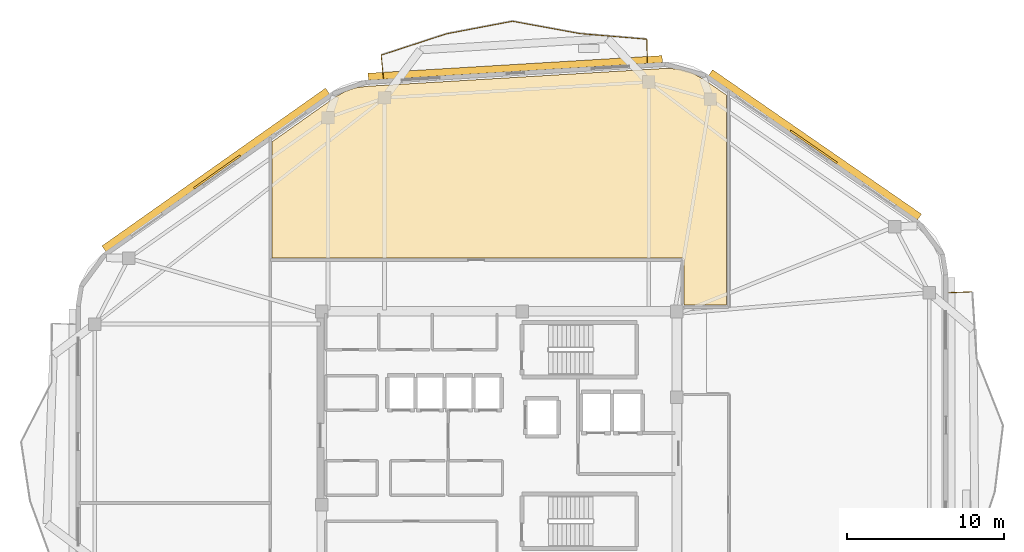
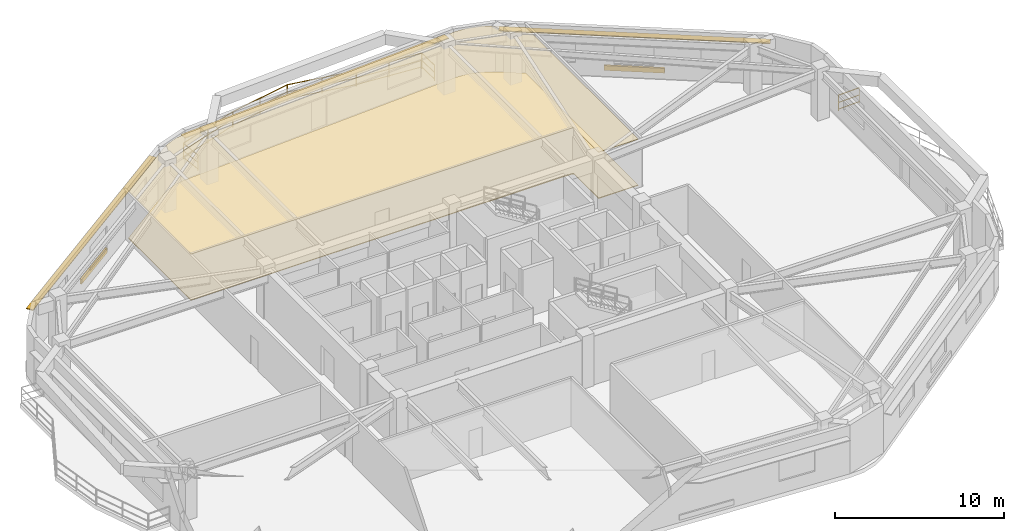
# One storey, part 9 of 9: 7 railings, 5 shading devices, 2 coverings.
"""IFC4 building model written with IfcOpenShell, lengths in metres."""

from ifc_helpers import new_model, si_unit, direction, frame, origin, origin_2d, place, context, subcontext, project, spatial, polyline, rectangle, outline, extrude, material, layer, layer_set, type_object, element, save


model = new_model("IFC4")

# Units and contexts
model_context = context("Model", 3, precision=1e-05, world=origin(), true_north=direction((0.0, 1.0)))
body_context = subcontext(model_context, "Body", "Model", "MODEL_VIEW")
ifc_project = project(units=[si_unit("LENGTHUNIT", "METRE"), si_unit("AREAUNIT", "SQUARE_METRE"), si_unit("VOLUMEUNIT", "CUBIC_METRE"), si_unit("PLANEANGLEUNIT", "RADIAN"), si_unit("MASSUNIT", "GRAM", prefix="KILO")], contexts=[model_context])

# Site, building, storey
site_placement = place(None, origin())
site = spatial("IfcSite", under=ifc_project, at=site_placement, CompositionType="ELEMENT")
building_placement = place(site_placement, origin())
building = spatial("IfcBuilding", under=site, at=building_placement, Name="Zulverin Broadcast Headquarters", CompositionType="ELEMENT")
storey_placement = place(building_placement, frame((0.0, 0.0, 247.800048828125)))
storey = spatial("IfcBuildingStorey", under=building, at=storey_placement, Name="L63", CompositionType="ELEMENT", Elevation=247.800048828125)

# Coverings
ifc_material_1 = material(Name="Perforated pale-metal acoustic baffle ceiling", Category="aluminium")
ifc_layer_1 = layer(ifc_material_1, 0.0400390625, Name="Perforated pale-metal acoustic baffle ceiling", Category="aluminium")
ifc_layer_set_1 = layer_set([ifc_layer_1], Name="Perforated pale-metal acoustic baffle ceiling")
covering_type_1 = type_object("IfcCoveringType", Name="COV-CEIL-ACOU", PredefinedType="CEILING", material=ifc_layer_set_1)
covering_1_placement = place(storey_placement, frame((0.0, 0.0, 3.329833984375)))
element("IfcCovering", 1, at=covering_1_placement, inside=storey, type_object=covering_type_1, Name="L63 Acoustic Baffle Ceiling 01", PredefinedType="CEILING", context=body_context, shape_type="SweptSolid", body=[
    extrude(outline(polyline([(48.39599609375, 48.471923828125), (47.56005859375, 48.51611328125), (28.52392578125, 47.3720703125), (27.827880859375, 47.26806640625), (27.18798828125, 47.0400390625), (26.575927734375, 46.69189453125), (22.572021484375, 43.860107421875), (22.572021484375, 36.471923828125), (48.60009765625, 36.471923828125), (48.612060546875, 36.471923828125), (48.6240234375, 36.468017578125), (48.635986328125, 36.468017578125), (48.64404296875, 36.464111328125), (48.656005859375, 36.4560546875), (48.66796875, 36.451904296875), (48.676025390625, 36.444091796875), (48.68408203125, 36.43603515625), (48.69189453125, 36.427978515625), (48.699951171875, 36.419921875), (48.7041015625, 36.407958984375), (48.7119140625, 36.39599609375), (48.716064453125, 36.387939453125), (48.716064453125, 36.3759765625), (48.719970703125, 36.364013671875), (48.719970703125, 36.35205078125), (48.719970703125, 33.5), (51.431884765625, 33.5), (51.431884765625, 46.81201171875), (49.924072265625, 47.85205078125), (49.18798828125, 48.251953125), (48.39599609375, 48.471923828125)])), origin(), (0.0, 0.0, 1.0), 0.0400390625),
])
ifc_material_2 = material(Name="Anti-static broadcast raised access flooring", Category="stone")
ifc_layer_2 = layer(ifc_material_2, 0.050048828125, Name="Anti-static broadcast raised access flooring", Category="stone")
ifc_layer_set_2 = layer_set([ifc_layer_2], Name="Anti-static broadcast raised access flooring")
covering_type_2 = type_object("IfcCoveringType", Name="COV-FLR-RAISED", PredefinedType="FLOORING", material=ifc_layer_set_2)
covering_2_placement = place(storey_placement, origin())
element("IfcCovering", 2, at=covering_2_placement, inside=storey, type_object=covering_type_2, Name="L63 Broadcast Raised Access Flooring 01", PredefinedType="FLOORING", context=body_context, shape_type="SweptSolid", body=[
    extrude(outline(polyline([(48.39599609375, 48.471923828125), (47.56005859375, 48.51611328125), (28.52392578125, 47.3720703125), (27.827880859375, 47.26806640625), (27.18798828125, 47.0400390625), (26.575927734375, 46.69189453125), (22.572021484375, 43.860107421875), (22.572021484375, 36.471923828125), (48.60009765625, 36.471923828125), (48.612060546875, 36.471923828125), (48.6240234375, 36.468017578125), (48.635986328125, 36.468017578125), (48.64404296875, 36.464111328125), (48.656005859375, 36.4560546875), (48.66796875, 36.451904296875), (48.676025390625, 36.444091796875), (48.68408203125, 36.43603515625), (48.69189453125, 36.427978515625), (48.699951171875, 36.419921875), (48.7041015625, 36.407958984375), (48.7119140625, 36.39599609375), (48.716064453125, 36.387939453125), (48.716064453125, 36.3759765625), (48.719970703125, 36.364013671875), (48.719970703125, 36.35205078125), (48.719970703125, 33.5), (51.431884765625, 33.5), (51.431884765625, 46.81201171875), (49.924072265625, 47.85205078125), (49.18798828125, 48.251953125), (48.39599609375, 48.471923828125)])), origin(), (0.0, 0.0, 1.0), 0.050048828125),
])

# Railings
ifc_material_3 = material(Name="Brushed stainless steel & laminated glass balustrade", Category="steel")
railing_type = type_object("IfcRailingType", Name="RL-GUARD-1150", PredefinedType="GUARDRAIL", material=ifc_material_3)
railing_1_placement = place(storey_placement, frame((67.0048828125, 34.3251953125, 0.0)))
element("IfcRailing", 3, at=railing_1_placement, inside=storey, type_object=railing_type, Name="L63 Vertical-Forest Balcony Guardrail BAL_E Segment 06", PredefinedType="GUARDRAIL", context=body_context, shape_type="SweptSolid", body=[
    extrude(rectangle(XDim=0.048095703125, YDim=0.048095703125, at=origin_2d()), frame((0.0, 0.0, 1.1259765625), z_axis=(-0.999174135318, -0.040633081503, 0.0), x_axis=(0.040633081503, -0.999174135318, 0.0)), (0.0, 0.0, 1.0), 1.466064453125),
    extrude(rectangle(XDim=0.0419921875, YDim=0.0419921875, at=origin_2d()), frame((0.0, 0.0, 0.597900390625), z_axis=(-0.999174135318, -0.040633081503, 0.0), x_axis=(0.040633081503, -0.999174135318, 0.0)), (0.0, 0.0, 1.0), 1.466064453125),
    extrude(rectangle(XDim=0.0419921875, YDim=0.0419921875, at=origin_2d()), frame((0.0, 0.0, 0.1201171875), z_axis=(-0.999174135318, -0.040633081503, 0.0), x_axis=(0.040633081503, -0.999174135318, 0.0)), (0.0, 0.0, 1.0), 1.466064453125),
    extrude(rectangle(XDim=0.0419921875, YDim=0.0419921875, at=origin_2d()), origin(), (0.0, 0.0, 1.0), 1.101806640625),
    extrude(rectangle(XDim=0.0419921875, YDim=0.0419921875, at=origin_2d()), frame((-1.46484375, -0.0595703125, 0.0)), (0.0, 0.0, 1.0), 1.101806640625),
])
railing_2_placement = place(storey_placement, frame((46.397216796875, 48.885498046875, 0.0)))
element("IfcRailing", 4, at=railing_2_placement, inside=storey, type_object=railing_type, Name="L63 Vertical-Forest Balcony Guardrail BAL_N Segment 01", PredefinedType="GUARDRAIL", context=body_context, shape_type="SweptSolid", body=[
    extrude(rectangle(XDim=0.048095703125, YDim=0.048095703125, at=origin_2d()), frame((0.0, 0.0, 1.1259765625), z_axis=(-0.019480066399, 0.999810245503, 0.0), x_axis=(-0.999810245503, -0.019480066399, 0.0)), (0.0, 0.0, 1.0), 1.46630859375),
    extrude(rectangle(XDim=0.0419921875, YDim=0.0419921875, at=origin_2d()), frame((0.0, 0.0, 0.597900390625), z_axis=(-0.019480066399, 0.999810245503, 0.0), x_axis=(-0.999810245503, -0.019480066399, 0.0)), (0.0, 0.0, 1.0), 1.46630859375),
    extrude(rectangle(XDim=0.0419921875, YDim=0.0419921875, at=origin_2d()), frame((0.0, 0.0, 0.1201171875), z_axis=(-0.019480066399, 0.999810245503, 0.0), x_axis=(-0.999810245503, -0.019480066399, 0.0)), (0.0, 0.0, 1.0), 1.46630859375),
    extrude(rectangle(XDim=0.0419921875, YDim=0.0419921875, at=origin_2d()), origin(), (0.0, 0.0, 1.0), 1.101806640625),
    extrude(rectangle(XDim=0.0419921875, YDim=0.0419921875, at=origin_2d()), frame((-0.028564453125, 1.466064453125, 0.0)), (0.0, 0.0, 1.0), 1.101806640625),
])
railing_3_placement = place(storey_placement, frame((46.353515625, 50.367919921875, 0.0)))
element("IfcRailing", 5, at=railing_3_placement, inside=storey, type_object=railing_type, Name="L63 Vertical-Forest Balcony Guardrail BAL_N Segment 02", PredefinedType="GUARDRAIL", context=body_context, shape_type="SweptSolid", body=[
    extrude(rectangle(XDim=0.048095703125, YDim=0.048095703125, at=origin_2d()), frame((0.0, 0.0, 1.1259765625), z_axis=(-0.996482760527, 0.083798018905, 0.0), x_axis=(-0.083798018905, -0.996482760527, 0.0)), (0.0, 0.0, 1.0), 4.241943359375),
    extrude(rectangle(XDim=0.0419921875, YDim=0.0419921875, at=origin_2d()), frame((0.0, 0.0, 0.597900390625), z_axis=(-0.996482760527, 0.083798018905, 0.0), x_axis=(-0.083798018905, -0.996482760527, 0.0)), (0.0, 0.0, 1.0), 4.241943359375),
    extrude(rectangle(XDim=0.0419921875, YDim=0.0419921875, at=origin_2d()), frame((0.0, 0.0, 0.1201171875), z_axis=(-0.996482760527, 0.083798018905, 0.0), x_axis=(-0.083798018905, -0.996482760527, 0.0)), (0.0, 0.0, 1.0), 4.241943359375),
    extrude(rectangle(XDim=0.0419921875, YDim=0.0419921875, at=origin_2d()), origin(), (0.0, 0.0, 1.0), 1.101806640625),
    extrude(rectangle(XDim=0.0419921875, YDim=0.0419921875, at=origin_2d()), frame((-2.113525390625, 0.177734375, 0.0)), (0.0, 0.0, 1.0), 1.101806640625),
    extrude(rectangle(XDim=0.0419921875, YDim=0.0419921875, at=origin_2d()), frame((-4.22705078125, 0.35546875, 0.0)), (0.0, 0.0, 1.0), 1.101806640625),
])
railing_4_placement = place(storey_placement, frame((42.0966796875, 50.727294921875, 0.0)))
element("IfcRailing", 6, at=railing_4_placement, inside=storey, type_object=railing_type, Name="L63 Vertical-Forest Balcony Guardrail BAL_N Segment 03", PredefinedType="GUARDRAIL", context=body_context, shape_type="SweptSolid", body=[
    extrude(rectangle(XDim=0.048095703125, YDim=0.048095703125, at=origin_2d()), frame((0.0, 0.0, 1.1259765625), z_axis=(-0.983691422251, 0.179864353859, 0.0), x_axis=(-0.179864353859, -0.983691422251, 0.0)), (0.0, 0.0, 1.0), 4.3232421875),
    extrude(rectangle(XDim=0.0419921875, YDim=0.0419921875, at=origin_2d()), frame((0.0, 0.0, 0.597900390625), z_axis=(-0.983691422251, 0.179864353859, 0.0), x_axis=(-0.179864353859, -0.983691422251, 0.0)), (0.0, 0.0, 1.0), 4.3232421875),
    extrude(rectangle(XDim=0.0419921875, YDim=0.0419921875, at=origin_2d()), frame((0.0, 0.0, 0.1201171875), z_axis=(-0.983691422251, 0.179864353859, 0.0), x_axis=(-0.179864353859, -0.983691422251, 0.0)), (0.0, 0.0, 1.0), 4.3232421875),
    extrude(rectangle(XDim=0.0419921875, YDim=0.0419921875, at=origin_2d()), origin(), (0.0, 0.0, 1.0), 1.101806640625),
    extrude(rectangle(XDim=0.0419921875, YDim=0.0419921875, at=origin_2d()), frame((-2.12646484375, 0.388671875, 0.0)), (0.0, 0.0, 1.0), 1.101806640625),
    extrude(rectangle(XDim=0.0419921875, YDim=0.0419921875, at=origin_2d()), frame((-4.252685546875, 0.777587890625, 0.0)), (0.0, 0.0, 1.0), 1.101806640625),
])
railing_5_placement = place(storey_placement, frame((37.814453125, 51.504638671875, 0.0)))
element("IfcRailing", 7, at=railing_5_placement, inside=storey, type_object=railing_type, Name="L63 Vertical-Forest Balcony Guardrail BAL_N Segment 04", PredefinedType="GUARDRAIL", context=body_context, shape_type="SweptSolid", body=[
    extrude(rectangle(XDim=0.048095703125, YDim=0.048095703125, at=origin_2d()), frame((0.0, 0.0, 1.1259765625), z_axis=(-0.982338566422, -0.18711210789, 0.0), x_axis=(0.18711210789, -0.982338566422, 0.0)), (0.0, 0.0, 1.0), 4.232666015625),
    extrude(rectangle(XDim=0.0419921875, YDim=0.0419921875, at=origin_2d()), frame((0.0, 0.0, 0.597900390625), z_axis=(-0.982338566422, -0.18711210789, 0.0), x_axis=(0.18711210789, -0.982338566422, 0.0)), (0.0, 0.0, 1.0), 4.232666015625),
    extrude(rectangle(XDim=0.0419921875, YDim=0.0419921875, at=origin_2d()), frame((0.0, 0.0, 0.1201171875), z_axis=(-0.982338566422, -0.18711210789, 0.0), x_axis=(0.18711210789, -0.982338566422, 0.0)), (0.0, 0.0, 1.0), 4.232666015625),
    extrude(rectangle(XDim=0.0419921875, YDim=0.0419921875, at=origin_2d()), origin(), (0.0, 0.0, 1.0), 1.101806640625),
    extrude(rectangle(XDim=0.0419921875, YDim=0.0419921875, at=origin_2d()), frame((-2.0791015625, -0.39599609375, 0.0)), (0.0, 0.0, 1.0), 1.101806640625),
    extrude(rectangle(XDim=0.0419921875, YDim=0.0419921875, at=origin_2d()), frame((-4.157958984375, -0.7919921875, 0.0)), (0.0, 0.0, 1.0), 1.101806640625),
])
railing_6_placement = place(storey_placement, frame((33.62744140625, 50.705078125, 0.0)))
element("IfcRailing", 8, at=railing_6_placement, inside=storey, type_object=railing_type, Name="L63 Vertical-Forest Balcony Guardrail BAL_N Segment 05", PredefinedType="GUARDRAIL", context=body_context, shape_type="SweptSolid", body=[
    extrude(rectangle(XDim=0.048095703125, YDim=0.048095703125, at=origin_2d()), frame((0.0, 0.0, 1.1259765625), z_axis=(-0.950595292658, -0.310432906722, 0.0), x_axis=(0.310432906722, -0.950595292658, 0.0)), (0.0, 0.0, 1.0), 4.339599609375),
    extrude(rectangle(XDim=0.0419921875, YDim=0.0419921875, at=origin_2d()), frame((0.0, 0.0, 0.597900390625), z_axis=(-0.950595292658, -0.310432906722, 0.0), x_axis=(0.310432906722, -0.950595292658, 0.0)), (0.0, 0.0, 1.0), 4.339599609375),
    extrude(rectangle(XDim=0.0419921875, YDim=0.0419921875, at=origin_2d()), frame((0.0, 0.0, 0.1201171875), z_axis=(-0.950595292658, -0.310432906722, 0.0), x_axis=(0.310432906722, -0.950595292658, 0.0)), (0.0, 0.0, 1.0), 4.339599609375),
    extrude(rectangle(XDim=0.0419921875, YDim=0.0419921875, at=origin_2d()), origin(), (0.0, 0.0, 1.0), 1.101806640625),
    extrude(rectangle(XDim=0.0419921875, YDim=0.0419921875, at=origin_2d()), frame((-2.0625, -0.673583984375, 0.0)), (0.0, 0.0, 1.0), 1.101806640625),
    extrude(rectangle(XDim=0.0419921875, YDim=0.0419921875, at=origin_2d()), frame((-4.125244140625, -1.34716796875, 0.0)), (0.0, 0.0, 1.0), 1.101806640625),
])
railing_7_placement = place(storey_placement, frame((29.489501953125, 49.338134765625, 0.0)))
element("IfcRailing", 9, at=railing_7_placement, inside=storey, type_object=railing_type, Name="L63 Vertical-Forest Balcony Guardrail BAL_N Segment 06", PredefinedType="GUARDRAIL", context=body_context, shape_type="SweptSolid", body=[
    extrude(rectangle(XDim=0.048095703125, YDim=0.048095703125, at=origin_2d()), frame((0.0, 0.0, 1.1259765625), z_axis=(0.100245616419, -0.994962721105, 0.0), x_axis=(0.994962721105, 0.100245616419, 0.0)), (0.0, 0.0, 1.0), 1.466064453125),
    extrude(rectangle(XDim=0.0419921875, YDim=0.0419921875, at=origin_2d()), frame((0.0, 0.0, 0.597900390625), z_axis=(0.100245616419, -0.994962721105, 0.0), x_axis=(0.994962721105, 0.100245616419, 0.0)), (0.0, 0.0, 1.0), 1.466064453125),
    extrude(rectangle(XDim=0.0419921875, YDim=0.0419921875, at=origin_2d()), frame((0.0, 0.0, 0.1201171875), z_axis=(0.100245616419, -0.994962721105, 0.0), x_axis=(0.994962721105, 0.100245616419, 0.0)), (0.0, 0.0, 1.0), 1.466064453125),
    extrude(rectangle(XDim=0.0419921875, YDim=0.0419921875, at=origin_2d()), origin(), (0.0, 0.0, 1.0), 1.101806640625),
    extrude(rectangle(XDim=0.0419921875, YDim=0.0419921875, at=origin_2d()), frame((0.14697265625, -1.458740234375, 0.0)), (0.0, 0.0, 1.0), 1.101806640625),
])

# Shading devices
ifc_material_4 = material(Name="Anodized pale-metal aluminium acoustic louvre", Category="aluminium")
shading_device_type_1 = type_object("IfcShadingDeviceType", Name="SHD-LOUVRE-350", PredefinedType="USERDEFINED", material=ifc_material_4)
for number, where, z_axis, x_axis, name in (
    (10, (56.955322265625, 43.52978515625, 0.244873046875), (0.0, 0.0, 1.0), (-0.822655402653, 0.568540313861, 0.0), "L63 Spandrel Intake Louvre 4"),
    (11, (19.076171875, 41.933837890625, 0.244873046875), (0.0, 0.0, 1.0), (-0.817023146348, -0.576604871929, 0.0), "L63 Spandrel Intake Louvre 6"),
):
    element("IfcShadingDevice", number, at=place(storey_placement, frame(where, z_axis=z_axis, x_axis=x_axis)), inside=storey, type_object=shading_device_type_1, Name=name, ObjectType="LOUVRE", PredefinedType="USERDEFINED", context=body_context, shape_type="SweptSolid", body=[
        extrude(rectangle(XDim=3.60009765625, YDim=0.1201171875, at=origin_2d()), origin(), (0.0, 0.0, 1.0), 0.35009765625),
    ])
ifc_material_5 = material(Name="Anodized pale-metal aluminium sunshade", Category="aluminium")
ifc_layer_3 = layer(ifc_material_5, 0.06005859375, Name="Anodized pale-metal aluminium sunshade", Category="aluminium")
ifc_layer_set_3 = layer_set([ifc_layer_3], Name="Anodized pale-metal aluminium sunshade")
shading_device_type_2 = type_object("IfcShadingDeviceType", Name="SS-01_PALE_METAL_ALUMINIUM_SUNSHADE", PredefinedType="USERDEFINED", material=ifc_layer_set_3)
shading_device_1_placement = place(storey_placement, frame((57.04638671875, 43.66162109375, 2.7099609375), z_axis=(0.0, 0.0, 1.0), x_axis=(-0.822655402653, 0.568540313861, 0.0)))
element("IfcShadingDevice", 12, at=shading_device_1_placement, inside=storey, type_object=shading_device_type_2, Name="L63 Horizontal Pale-Metal Sunshade Band 4", ObjectType="SUNSHADE", PredefinedType="USERDEFINED", context=body_context, shape_type="SweptSolid", body=[
    extrude(rectangle(XDim=16.1279296875, YDim=0.449951171875, at=origin_2d()), origin(), (0.0, 0.0, 1.0), 0.06005859375),
])
shading_device_2_placement = place(storey_placement, frame((38.007080078125, 48.542236328125, 2.7099609375), z_axis=(0.0, 0.0, 1.0), x_axis=(-0.99820257679, -0.059930090026, 0.0)))
element("IfcShadingDevice", 13, at=shading_device_2_placement, inside=storey, type_object=shading_device_type_2, Name="L63 Horizontal Pale-Metal Sunshade Band 5", ObjectType="SUNSHADE", PredefinedType="USERDEFINED", context=body_context, shape_type="SweptSolid", body=[
    extrude(rectangle(XDim=18.710693359375, YDim=0.449951171875, at=origin_2d()), origin(), (0.0, 0.0, 1.0), 0.06005859375),
])
shading_device_3_placement = place(storey_placement, frame((18.98388671875, 42.064453125, 2.7099609375), z_axis=(0.0, 0.0, 1.0), x_axis=(-0.817023146348, -0.576604871929, 0.0)))
element("IfcShadingDevice", 14, at=shading_device_3_placement, inside=storey, type_object=shading_device_type_2, Name="L63 Horizontal Pale-Metal Sunshade Band 6", ObjectType="SUNSHADE", PredefinedType="USERDEFINED", context=body_context, shape_type="SweptSolid", body=[
    extrude(rectangle(XDim=17.3798828125, YDim=0.449951171875, at=origin_2d()), origin(), (0.0, 0.0, 1.0), 0.06005859375),
])

save(model, "model.ifc")
